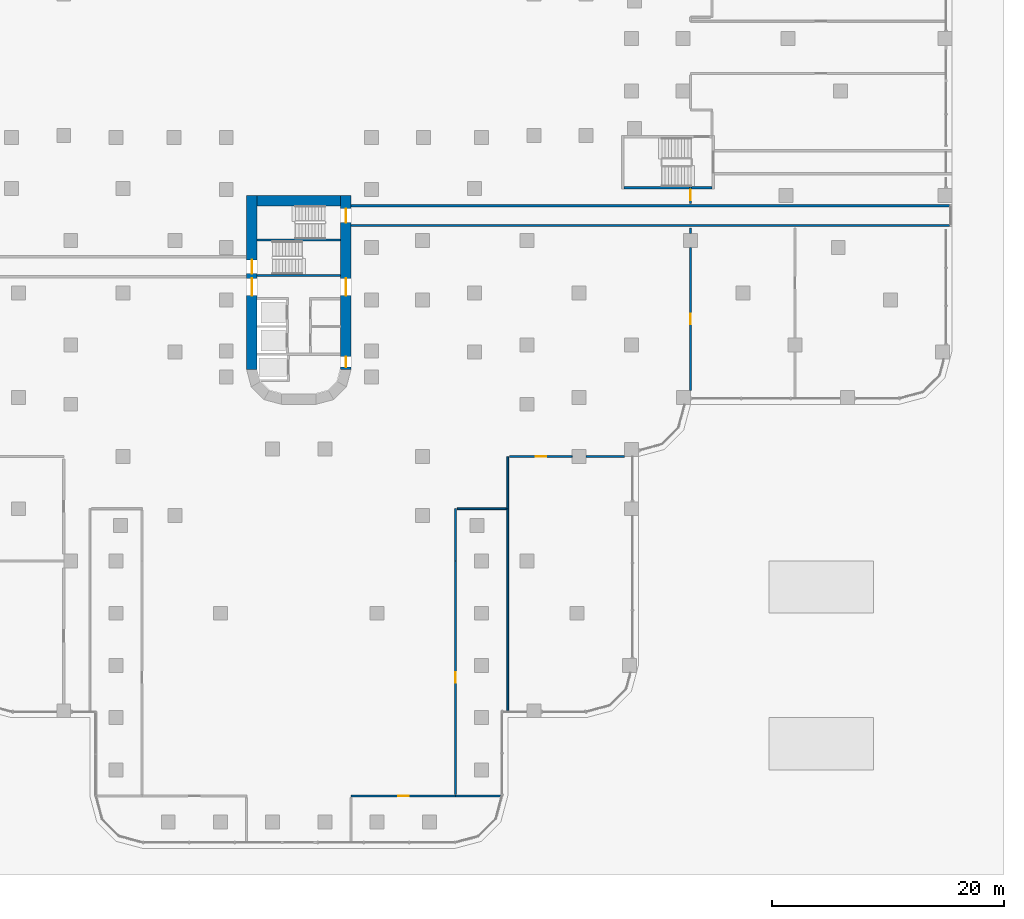
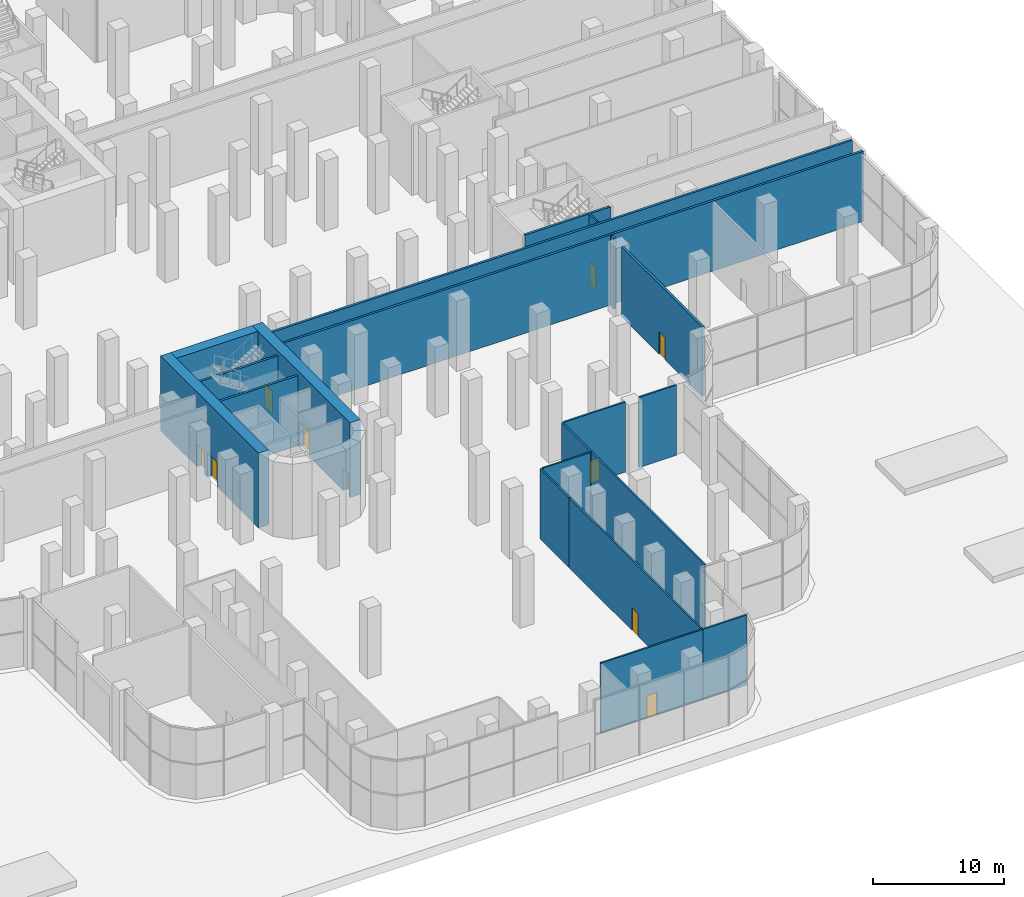
# One storey, part 22 of 34: 20 walls, 10 doors, 10 openings.
"""IFC4 building model written with IfcOpenShell, lengths in metres."""

import ifcopenshell
import ifcopenshell.guid

model = None  # the IFC model being written
_history = None  # IfcOwnerHistory: only IFC2X3 demands one
_inside = {}  # id of a spatial element -> (the spatial element, [elements in it])
_under = {}  # id of a project, library or spatial element -> (it, [spatial elements below it])
_declared = {}  # id of a project -> (the project, [libraries it declares])
_typed = {}  # id of a type object -> (the type object, [elements of that type])
_made_of = {}  # id of a material, layer set ... -> (it, [elements and type objects made of it])


def new_model(schema):
    """Start an empty IFC model of exactly this schema.

    Asked for "IFC4X3", IfcOpenShell would pick the latest addendum, in which some entities
    have other attributes; the version numbers below select the first issue.
    IFC2X3 requires an IfcOwnerHistory on every rooted entity: one is made here for all.
    """
    global model, _history
    if schema == "IFC4X3":
        model = ifcopenshell.file(schema_version=(4, 3, 0, 0))
    else:
        model = ifcopenshell.file(schema=schema)
    _inside.clear()
    _under.clear()
    _declared.clear()
    _typed.clear()
    _made_of.clear()
    _history = None
    if model.schema == "IFC2X3":
        org = make("IfcOrganization", Name="unknown")
        user = make(
            "IfcPersonAndOrganization",
            ThePerson=make("IfcPerson", FamilyName="unknown"),
            TheOrganization=org,
        )
        app = make(
            "IfcApplication",
            ApplicationDeveloper=org,
            Version="unknown",
            ApplicationFullName="unknown",
            ApplicationIdentifier="unknown",
        )
        _history = make(
            "IfcOwnerHistory",
            OwningUser=user,
            OwningApplication=app,
            ChangeAction="ADDED",
            CreationDate=0,
        )
    return model


def make(cls, **values):
    """One entity of the class cls with the attributes given. An attribute that is None is left unset."""
    return model.create_entity(
        cls, **{name: value for name, value in values.items() if value is not None}
    )


def rooted(cls, **values):
    """An entity with a GlobalId (a new one), such as an element, a storey or a relation."""
    return make(cls, GlobalId=ifcopenshell.guid.new(), OwnerHistory=_history, **values)


def si_unit(unit_type, name, prefix=None):
    """IfcSIUnit, for example si_unit("LENGTHUNIT", "METRE", prefix="MILLI")."""
    return make("IfcSIUnit", UnitType=unit_type, Prefix=prefix, Name=name)


def assignment(units):
    """IfcUnitAssignment: the units of a project."""
    return None if units is None else make("IfcUnitAssignment", Units=units)


def point(xyz):
    """IfcCartesianPoint."""
    return None if xyz is None else make("IfcCartesianPoint", Coordinates=xyz)


def direction(xyz):
    """IfcDirection."""
    return None if xyz is None else make("IfcDirection", DirectionRatios=xyz)


def frame(location, z_axis=None, x_axis=None):
    """IfcAxis2Placement3D, a coordinate frame: its origin and axes. An axis left out is left unset."""
    return make(
        "IfcAxis2Placement3D",
        Location=point(location),
        Axis=direction(z_axis),
        RefDirection=direction(x_axis),
    )


def frame_2d(location, x_axis=None):
    """IfcAxis2Placement2D, a coordinate frame in the plane: its origin and x axis."""
    return make(
        "IfcAxis2Placement2D", Location=point(location), RefDirection=direction(x_axis)
    )


def origin():
    """The frame at (0, 0, 0) with its axes left unset."""
    return frame((0.0, 0.0, 0.0))


def place(relative_to, where):
    """IfcLocalPlacement: puts the frame where relative to a parent placement (None: the world)."""
    return make(
        "IfcLocalPlacement", PlacementRelTo=relative_to, RelativePlacement=where
    )


def context(
    kind, dimensions, precision=None, world=None, true_north=None, identifier=None
):
    """IfcGeometricRepresentationContext, for example the 3D "Model" context."""
    return make(
        "IfcGeometricRepresentationContext",
        ContextIdentifier=identifier,
        ContextType=kind,
        CoordinateSpaceDimension=dimensions,
        Precision=precision,
        WorldCoordinateSystem=world,
        TrueNorth=true_north,
    )


def subcontext(parent, identifier, kind, view, scale=None):
    """IfcGeometricRepresentationSubContext, for example "Body" below "Model"."""
    return make(
        "IfcGeometricRepresentationSubContext",
        ContextIdentifier=identifier,
        ContextType=kind,
        ParentContext=parent,
        TargetScale=scale,
        TargetView=view,
    )


def project(units=None, contexts=None):
    """IfcProject with its units and contexts."""
    return rooted(
        "IfcProject",
        Name="project",
        RepresentationContexts=contexts,
        UnitsInContext=assignment(units),
    )


def spatial(cls, under=None, at=None, **own):
    """A site, building, storey or space (cls), placed at a placement, below another one or the project."""
    s = rooted(cls, ObjectPlacement=at, **own)
    if under is not None:
        _under.setdefault(under.id(), (under, []))[1].append(s)
    return s


def profile(cls, at=None, kind="AREA", **sizes):
    """A parametric profile (cls). Its sizes go by their IFC names, for example OverallWidth=200.0."""
    return make(cls, ProfileType=kind, Position=at, **sizes)


def rectangle(**sizes):
    """IfcRectangleProfileDef."""
    return profile("IfcRectangleProfileDef", **sizes)


def extrude(swept, where, along, depth):
    """IfcExtrudedAreaSolid: the profile swept, set in the frame where, extruded along a direction by depth."""
    return make(
        "IfcExtrudedAreaSolid",
        SweptArea=swept,
        Position=where,
        ExtrudedDirection=direction(along),
        Depth=depth,
    )


def shape(context_of_items, identifier, shape_type, items):
    """IfcShapeRepresentation: the items that make up one representation, for example the "Body"."""
    return make(
        "IfcShapeRepresentation",
        ContextOfItems=context_of_items,
        RepresentationIdentifier=identifier,
        RepresentationType=shape_type,
        Items=items,
    )


def material(Name=None, Category=None):
    """IfcMaterial."""
    return make("IfcMaterial", Name=Name, Category=Category)


def layer(
    of_material, thickness, ventilated=None, Name=None, Category=None, Priority=None
):
    """IfcMaterialLayer: one layer of a wall or slab, of a material (None: an air gap)."""
    return make(
        "IfcMaterialLayer",
        Material=of_material,
        LayerThickness=thickness,
        IsVentilated=ventilated,
        Name=Name,
        Category=Category,
        Priority=Priority,
    )


def layer_set(layers, Name=None):
    """IfcMaterialLayerSet."""
    return make("IfcMaterialLayerSet", MaterialLayers=layers, LayerSetName=Name)


def made_of(thing, what):
    """Note that an element or type object is made of a material, layer set ...; save() writes the relation."""
    if what is not None:
        _made_of.setdefault(what.id(), (what, []))[1].append(thing)
    return thing


def type_object(cls, material=None, **own):
    """A type object (cls), such as IfcWallType, which elements share."""
    return made_of(rooted(cls, **own), material)


def element(
    cls,
    number,
    at=None,
    inside=None,
    cuts=None,
    type_object=None,
    material=None,
    context=None,
    identifier="Body",
    shape_type=None,
    held_by="IfcProductDefinitionShape",
    body=None,
    shapes=None,
    **own,
):
    """One element of the class cls, such as IfcWall. Its Tag is "e" and its number.

    at: its placement. inside: the storey or other place that contains it. cuts: it is an
    opening in that element (IfcRelVoidsElement). A single representation is given by context,
    identifier, shape_type and body (its items); several are given by shapes. held_by: the class
    of the entity that holds the representations. save() writes the other relations.
    """
    e = rooted(cls, Tag="e%d" % number, ObjectPlacement=at, **own)
    if body is not None:
        shapes = [shape(context, identifier, shape_type, body)]
    if shapes is not None:
        e.Representation = make(held_by, Representations=shapes)
    if inside is not None:
        _inside.setdefault(inside.id(), (inside, []))[1].append(e)
    if cuts is not None:
        rooted(
            "IfcRelVoidsElement", RelatingBuildingElement=cuts, RelatedOpeningElement=e
        )
    if type_object is not None:
        _typed.setdefault(type_object.id(), (type_object, []))[1].append(e)
    return made_of(e, material)


def fill(opening, filler):
    """IfcRelFillsElement: the door or window that sits in an opening."""
    return rooted(
        "IfcRelFillsElement",
        RelatingOpeningElement=opening,
        RelatedBuildingElement=filler,
    )


def aggregate(whole, parts):
    """IfcRelAggregates: a whole, such as a stair, and the parts it consists of."""
    return rooted("IfcRelAggregates", RelatingObject=whole, RelatedObjects=parts)


def save(model, path):
    """Write the relations noted so far, then the file.

    IfcRelAggregates (storeys below a building ...), IfcRelContainedInSpatialStructure (elements
    in a storey), IfcRelDefinesByType, IfcRelAssociatesMaterial and IfcRelDeclares: one each for
    every whole, place, type object, material and project.
    """
    for whole, parts in _under.values():
        aggregate(whole, parts)
    for where, things in _inside.values():
        rooted(
            "IfcRelContainedInSpatialStructure",
            RelatedElements=things,
            RelatingStructure=where,
        )
    for kind, things in _typed.values():
        rooted("IfcRelDefinesByType", RelatedObjects=things, RelatingType=kind)
    for what, things in _made_of.values():
        rooted("IfcRelAssociatesMaterial", RelatedObjects=things, RelatingMaterial=what)
    for by, libraries in _declared.values():
        rooted("IfcRelDeclares", RelatingContext=by, RelatedDefinitions=libraries)
    model.write(path)


model = new_model("IFC4")

# Units and contexts
model_context = context("Model", 3, precision=1e-05, world=origin(), true_north=direction((0.0, 1.0)))
body_context = subcontext(model_context, "Body", "Model", "MODEL_VIEW")
ifc_project = project(units=[si_unit("LENGTHUNIT", "METRE"), si_unit("AREAUNIT", "SQUARE_METRE"), si_unit("VOLUMEUNIT", "CUBIC_METRE"), si_unit("PLANEANGLEUNIT", "RADIAN"), si_unit("MASSUNIT", "GRAM", prefix="KILO")], contexts=[model_context])

# Site, building, storey
site_placement = place(None, origin())
site = spatial("IfcSite", under=ifc_project, at=site_placement, CompositionType="ELEMENT")
building_placement = place(site_placement, origin())
building = spatial("IfcBuilding", under=site, at=building_placement, Name="Zarbagh Exchange Tower", CompositionType="ELEMENT")
storey_placement = place(building_placement, origin())
storey = spatial("IfcBuildingStorey", under=building, at=storey_placement, Name="L00", CompositionType="ELEMENT", Elevation=0.0)

# Wall, opening, door
ifc_material_1 = material(Name="Plasterboard partition")
ifc_layer_1 = layer(ifc_material_1, 0.14990234375)
ifc_layer_set_1 = layer_set([ifc_layer_1], Name="Board partition 150")
wall_type_1 = type_object("IfcWallType", Name="Board partition 150", PredefinedType="PARTITIONING", material=ifc_layer_set_1)
wall_1_placement = place(storey_placement, frame((33.75, -10.5, 0.0), z_axis=(0.0, 0.0, 1.0), x_axis=(0.0, -1.0, 0.0)))
wall_1 = element("IfcWall", 1, at=wall_1_placement, inside=storey, type_object=wall_type_1, Name="WL-L00-W028", PredefinedType="PARTITIONING", context=body_context, shape_type="SweptSolid", body=[
    extrude(rectangle(XDim=1.449951171875, YDim=0.14990234375, at=frame_2d((0.72509765625, 0.0))), origin(), (0.0, 0.0, 1.0), 6.550048828125),
])
opening_1_placement = place(wall_1_placement, frame((0.27490234375, 0.0, 0.0)))
opening_1 = element("IfcOpeningElement", 2, at=opening_1_placement, cuts=wall_1, Name="Opening D11", PredefinedType="OPENING", context=body_context, shape_type="SweptSolid", body=[
    extrude(rectangle(XDim=0.89990234375, YDim=2.10009765625, at=frame_2d((0.449951171875, 1.050048828125))), frame((0.0, 0.0849609375, 0.0), z_axis=(0.0, -1.0, 0.0), x_axis=(1.0, 0.0, 0.0)), (0.0, 0.0, 1.0), 0.169921875),
])
ifc_material_2 = material(Name="Timber door leaf", Category="wood")
door_type_1 = type_object("IfcDoorType", Name="Door single 900x2100", OperationType="SINGLE_SWING_LEFT", PredefinedType="DOOR", material=ifc_material_2)
door_1_placement = place(opening_1_placement, origin())
door_1 = element("IfcDoor", 3, at=door_1_placement, inside=storey, type_object=door_type_1, Name="D11", OperationType="SINGLE_SWING_LEFT", OverallHeight=2.10009765625, OverallWidth=0.89990234375, PredefinedType="DOOR", context=body_context, shape_type="SweptSolid", body=[
    extrude(rectangle(XDim=0.89990234375, YDim=2.10009765625, at=frame_2d((0.449951171875, 1.050048828125))), frame((0.0, 0.02490234375, 0.0), z_axis=(0.0, -1.0, 0.0), x_axis=(1.0, 0.0, 0.0)), (0.0, 0.0, 1.0), 0.050048828125),
])
fill(opening_1, door_1)

wall_2_placement = place(storey_placement, frame((13.5, -63.0, 0.0), z_axis=(0.0, 0.0, 1.0), x_axis=(-1.0, 0.0, 0.0)))
wall_2 = element("IfcWall", 4, at=wall_2_placement, inside=storey, type_object=wall_type_1, Name="WL-L00-W057", PredefinedType="PARTITIONING", context=body_context, shape_type="SweptSolid", body=[
    extrude(rectangle(XDim=9.0, YDim=0.14990234375, at=frame_2d((4.5, 0.0))), origin(), (0.0, 0.0, 1.0), 6.550048828125),
])
opening_2_placement = place(wall_2_placement, frame((4.050048828125, 0.0, 0.0)))
opening_2 = element("IfcOpeningElement", 5, at=opening_2_placement, cuts=wall_2, Name="Opening D69", PredefinedType="OPENING", context=body_context, shape_type="SweptSolid", body=[
    extrude(rectangle(XDim=0.89990234375, YDim=2.10009765625, at=frame_2d((0.449951171875, 1.050048828125))), frame((0.0, 0.0849609375, 0.0), z_axis=(0.0, -1.0, 0.0), x_axis=(1.0, 0.0, 0.0)), (0.0, 0.0, 1.0), 0.169921875),
])
door_2_placement = place(opening_2_placement, origin())
door_2 = element("IfcDoor", 6, at=door_2_placement, inside=storey, type_object=door_type_1, Name="D24", OperationType="SINGLE_SWING_LEFT", OverallHeight=2.10009765625, OverallWidth=0.89990234375, PredefinedType="DOOR", context=body_context, shape_type="SweptSolid", body=[
    extrude(rectangle(XDim=0.89990234375, YDim=2.10009765625, at=frame_2d((0.449951171875, 1.050048828125))), frame((0.0, 0.02490234375, 0.0), z_axis=(0.0, -1.0, 0.0), x_axis=(1.0, 0.0, 0.0)), (0.0, 0.0, 1.0), 0.050048828125),
])
fill(opening_2, door_2)

wall_3_placement = place(storey_placement, frame((13.5, -42.75, 0.0), z_axis=(0.0, 0.0, 1.0), x_axis=(0.0, -1.0, 0.0)))
wall_3 = element("IfcWall", 7, at=wall_3_placement, inside=storey, type_object=wall_type_1, Name="WL-L00-W059", PredefinedType="PARTITIONING", context=body_context, shape_type="SweptSolid", body=[
    extrude(rectangle(XDim=20.10009765625, YDim=0.14990234375, at=frame_2d((10.050048828125, 0.0))), origin(), (0.0, 0.0, 1.0), 6.550048828125),
])
opening_3_placement = place(wall_3_placement, frame((9.60009765625, 0.0, 0.0)))
opening_3 = element("IfcOpeningElement", 8, at=opening_3_placement, cuts=wall_3, Name="Opening D26", PredefinedType="OPENING", context=body_context, shape_type="SweptSolid", body=[
    extrude(rectangle(XDim=0.89990234375, YDim=2.10009765625, at=frame_2d((0.449951171875, 1.050048828125))), frame((0.0, 0.0849609375, 0.0), z_axis=(0.0, -1.0, 0.0), x_axis=(1.0, 0.0, 0.0)), (0.0, 0.0, 1.0), 0.169921875),
])
door_3_placement = place(opening_3_placement, origin())
door_3 = element("IfcDoor", 9, at=door_3_placement, inside=storey, type_object=door_type_1, Name="D26", OperationType="SINGLE_SWING_LEFT", OverallHeight=2.10009765625, OverallWidth=0.89990234375, PredefinedType="DOOR", context=body_context, shape_type="SweptSolid", body=[
    extrude(rectangle(XDim=0.89990234375, YDim=2.10009765625, at=frame_2d((0.449951171875, 1.050048828125))), frame((0.0, 0.02490234375, 0.0), z_axis=(0.0, -1.0, 0.0), x_axis=(1.0, 0.0, 0.0)), (0.0, 0.0, 1.0), 0.050048828125),
])
fill(opening_3, door_3)

# Walls
wall_4_placement = place(storey_placement, frame((13.5, -63.0, 0.0), z_axis=(0.0, 0.0, 1.0), x_axis=(1.0, 0.0, 0.0)))
element("IfcWall", 10, at=wall_4_placement, inside=storey, type_object=wall_type_1, Name="WL-L00-W063", PredefinedType="PARTITIONING", context=body_context, shape_type="SweptSolid", body=[
    extrude(rectangle(XDim=3.8798828125, YDim=0.14990234375, at=frame_2d((1.93994140625, 0.0))), origin(), (0.0, 0.0, 1.0), 6.550048828125),
])
wall_5_placement = place(storey_placement, frame((18.0, -38.25, 0.0), z_axis=(0.0, 0.0, 1.0), x_axis=(0.0, -1.0, 0.0)))
element("IfcWall", 11, at=wall_5_placement, inside=storey, type_object=wall_type_1, Name="WL-L00-W067", PredefinedType="PARTITIONING", context=body_context, shape_type="SweptSolid", body=[
    extrude(rectangle(XDim=17.39990234375, YDim=0.14990234375, at=frame_2d((8.699951171875, 0.0))), origin(), (0.0, 0.0, 1.0), 6.550048828125),
])
wall_6_placement = place(storey_placement, frame((13.5, -42.75, 0.0), z_axis=(0.0, 0.0, 1.0), x_axis=(0.0, 1.0, 0.0)))
element("IfcWall", 12, at=wall_6_placement, inside=storey, type_object=wall_type_1, Name="WL-L00-W068", PredefinedType="PARTITIONING", context=body_context, shape_type="SweptSolid", body=[
    extrude(rectangle(XDim=4.5, YDim=0.14990234375, at=frame_2d((2.25, 0.0))), origin(), (0.0, 0.0, 1.0), 6.550048828125),
])
wall_7_placement = place(storey_placement, frame((13.64990234375, -38.25, 0.0), z_axis=(0.0, 0.0, 1.0), x_axis=(1.0, 0.0, 0.0)))
element("IfcWall", 13, at=wall_7_placement, inside=storey, type_object=wall_type_1, Name="WL-L00-W069", PredefinedType="PARTITIONING", context=body_context, shape_type="SweptSolid", body=[
    extrude(rectangle(XDim=4.2001953125, YDim=0.14990234375, at=frame_2d((2.10009765625, 0.0))), origin(), (0.0, 0.0, 1.0), 6.550048828125),
])
wall_8_placement = place(storey_placement, frame((18.0, -38.25, 0.0), z_axis=(0.0, 0.0, 1.0), x_axis=(0.0, 1.0, 0.0)))
element("IfcWall", 14, at=wall_8_placement, inside=storey, type_object=wall_type_1, Name="WL-L00-W070", PredefinedType="PARTITIONING", context=body_context, shape_type="SweptSolid", body=[
    extrude(rectangle(XDim=4.5, YDim=0.14990234375, at=frame_2d((2.25, 0.0))), origin(), (0.0, 0.0, 1.0), 6.550048828125),
])

# Wall, opening, door
wall_9_placement = place(storey_placement, frame((23.550048828125, -33.75, 0.0), z_axis=(0.0, 0.0, 1.0), x_axis=(-1.0, 0.0, 0.0)))
wall_9 = element("IfcWall", 15, at=wall_9_placement, inside=storey, type_object=wall_type_1, Name="WL-L00-W071", PredefinedType="PARTITIONING", context=body_context, shape_type="SweptSolid", body=[
    extrude(rectangle(XDim=5.400146484375, YDim=0.14990234375, at=frame_2d((2.7001953125, 0.0))), origin(), (0.0, 0.0, 1.0), 6.550048828125),
])
opening_4_placement = place(wall_9_placement, frame((2.25, 0.0, 0.0)))
opening_4 = element("IfcOpeningElement", 16, at=opening_4_placement, cuts=wall_9, Name="Opening D27", PredefinedType="OPENING", context=body_context, shape_type="SweptSolid", body=[
    extrude(rectangle(XDim=0.89990234375, YDim=2.10009765625, at=frame_2d((0.449951171875, 1.050048828125))), frame((0.0, 0.0849609375, 0.0), z_axis=(0.0, -1.0, 0.0), x_axis=(1.0, 0.0, 0.0)), (0.0, 0.0, 1.0), 0.169921875),
])
door_4_placement = place(opening_4_placement, origin())
door_4 = element("IfcDoor", 17, at=door_4_placement, inside=storey, type_object=door_type_1, Name="D27", OperationType="SINGLE_SWING_LEFT", OverallHeight=2.10009765625, OverallWidth=0.89990234375, PredefinedType="DOOR", context=body_context, shape_type="SweptSolid", body=[
    extrude(rectangle(XDim=0.89990234375, YDim=2.10009765625, at=frame_2d((0.449951171875, 1.050048828125))), frame((0.0, 0.02490234375, 0.0), z_axis=(0.0, -1.0, 0.0), x_axis=(1.0, 0.0, 0.0)), (0.0, 0.0, 1.0), 0.050048828125),
])
fill(opening_4, door_4)

# Wall
wall_10_placement = place(storey_placement, frame((24.75, -33.75, 0.0), z_axis=(0.0, 0.0, 1.0), x_axis=(1.0, 0.0, 0.0)))
element("IfcWall", 18, at=wall_10_placement, inside=storey, type_object=wall_type_1, Name="WL-L00-W072", PredefinedType="PARTITIONING", context=body_context, shape_type="SweptSolid", body=[
    extrude(rectangle(XDim=3.300048828125, YDim=0.14990234375, at=frame_2d((1.64990234375, 0.0))), origin(), (0.0, 0.0, 1.0), 6.550048828125),
])

# Wall, opening, door
ifc_material_3 = material(Name="Concrete block partition", Category="concrete")
ifc_layer_2 = layer(ifc_material_3, 0.199951171875)
ifc_layer_set_2 = layer_set([ifc_layer_2], Name="Fire-rated block partition 200 EI 60")
wall_type_2 = type_object("IfcWallType", Name="Fire-rated block partition 200 EI 60", PredefinedType="PARTITIONING", material=ifc_layer_set_2)
wall_11_placement = place(storey_placement, frame((33.75, -15.75, 0.0), z_axis=(0.0, 0.0, 1.0), x_axis=(0.0, -1.0, 0.0)))
wall_11 = element("IfcWall", 19, at=wall_11_placement, inside=storey, type_object=wall_type_2, Name="WL-L00-W031", PredefinedType="PARTITIONING", context=body_context, shape_type="SweptSolid", body=[
    extrude(rectangle(XDim=12.300048828125, YDim=0.199951171875, at=frame_2d((6.14990234375, 0.0))), origin(), (0.0, 0.0, 1.0), 6.550048828125),
])
opening_5_placement = place(wall_11_placement, frame((5.699951171875, 0.0, 0.0)))
opening_5 = element("IfcOpeningElement", 20, at=opening_5_placement, cuts=wall_11, Name="Opening D58", PredefinedType="OPENING", context=body_context, shape_type="SweptSolid", body=[
    extrude(rectangle(XDim=0.89990234375, YDim=2.10009765625, at=frame_2d((0.449951171875, 1.050048828125))), frame((0.0, 0.10986328125, 0.0), z_axis=(0.0, -1.0, 0.0), x_axis=(1.0, 0.0, 0.0)), (0.0, 0.0, 1.0), 0.219970703125),
])
ifc_material_4 = material(Name="Steel door set", Category="steel")
door_type_2 = type_object("IfcDoorType", Name="Door single 900x2100 EI 60", OperationType="SINGLE_SWING_LEFT", PredefinedType="DOOR", material=ifc_material_4)
door_5_placement = place(opening_5_placement, origin())
door_5 = element("IfcDoor", 21, at=door_5_placement, inside=storey, type_object=door_type_2, Name="D13", OperationType="SINGLE_SWING_LEFT", OverallHeight=2.10009765625, OverallWidth=0.89990234375, PredefinedType="DOOR", context=body_context, shape_type="SweptSolid", body=[
    extrude(rectangle(XDim=0.89990234375, YDim=2.10009765625, at=frame_2d((0.449951171875, 1.050048828125))), frame((0.0, 0.02490234375, 0.0), z_axis=(0.0, -1.0, 0.0), x_axis=(1.0, 0.0, 0.0)), (0.0, 0.0, 1.0), 0.050048828125),
])
fill(opening_5, door_5)

# Wall
wall_12_placement = place(storey_placement, frame((33.75, -14.550048828125, 0.0), z_axis=(0.0, 0.0, 1.0), x_axis=(0.0, 1.0, 0.0)))
element("IfcWall", 22, at=wall_12_placement, inside=storey, type_object=wall_type_2, Name="WL-L00-W032", PredefinedType="PARTITIONING", context=body_context, shape_type="SweptSolid", body=[
    extrude(rectangle(XDim=0.5, YDim=0.199951171875, at=frame_2d((0.25, 0.0))), origin(), (0.0, 0.0, 1.0), 6.550048828125),
])

# Wall, openings, doors
ifc_material_5 = material(Name="Concrete C60/75", Category="concrete")
ifc_layer_3 = layer(ifc_material_5, 0.89990234375)
ifc_layer_set_3 = layer_set([ifc_layer_3], Name="RC core wall 900 C60/75")
wall_type_3 = type_object("IfcWallType", Name="RC core wall 900 C60/75", PredefinedType="SHEAR", material=ifc_layer_set_3)
wall_13_placement = place(storey_placement, frame((-4.050048828125, -11.25, 0.0), z_axis=(0.0, 0.0, 1.0), x_axis=(0.0, -1.0, 0.0)))
wall_13 = element("IfcWall", 23, at=wall_13_placement, inside=storey, type_object=wall_type_3, Name="CW1 core S W", PredefinedType="SHEAR", context=body_context, shape_type="SweptSolid", body=[
    extrude(rectangle(XDim=15.0, YDim=0.89990234375, at=frame_2d((7.5, 0.0))), origin(), (0.0, 0.0, 1.0), 7.0),
])
opening_6_placement = place(wall_13_placement, frame((7.14990234375, 0.0, 0.0)))
opening_6 = element("IfcOpeningElement", 24, at=opening_6_placement, cuts=wall_13, Name="Opening CD1-1500", PredefinedType="OPENING", context=body_context, shape_type="SweptSolid", body=[
    extrude(rectangle(XDim=1.5, YDim=2.300048828125, at=frame_2d((0.75, 1.14990234375))), frame((0.0, 0.4599609375, 0.0), z_axis=(0.0, -1.0, 0.0), x_axis=(1.0, 0.0, 0.0)), (0.0, 0.0, 1.0), 0.919921875),
])
opening_7_placement = place(wall_13_placement, frame((5.550048828125, 0.0, 0.0)))
opening_7 = element("IfcOpeningElement", 25, at=opening_7_placement, cuts=wall_13, Name="Opening SD1-1200", PredefinedType="OPENING", context=body_context, shape_type="SweptSolid", body=[
    extrude(rectangle(XDim=1.199951171875, YDim=2.10009765625, at=frame_2d((0.60009765625, 1.050048828125))), frame((0.0, 0.4599609375, 0.0), z_axis=(0.0, -1.0, 0.0), x_axis=(1.0, 0.0, 0.0)), (0.0, 0.0, 1.0), 0.919921875),
])
ifc_material_6 = material(Name="Steel", Category="steel")
door_type_3 = type_object("IfcDoorType", Name="Exit stair door 1200 x 2100", OperationType="NOTDEFINED", PredefinedType="DOOR", material=ifc_material_6)
door_6_placement = place(opening_7_placement, origin())
door_6 = element("IfcDoor", 26, at=door_6_placement, inside=storey, type_object=door_type_3, Name="South core stair door ST1", OperationType="SINGLE_SWING_LEFT", OverallHeight=2.10009765625, OverallWidth=1.199951171875, PredefinedType="DOOR", context=body_context, shape_type="SweptSolid", body=[
    extrude(rectangle(XDim=1.199951171875, YDim=2.10009765625, at=frame_2d((0.60009765625, 1.050048828125))), frame((0.0, 0.02490234375, 0.0), z_axis=(0.0, -1.0, 0.0), x_axis=(1.0, 0.0, 0.0)), (0.0, 0.0, 1.0), 0.050048828125),
])
fill(opening_7, door_6)
door_type_4 = type_object("IfcDoorType", Name="Lift lobby double door 1500 x 2300", OperationType="NOTDEFINED", PredefinedType="DOOR", material=ifc_material_6)
door_7_placement = place(opening_6_placement, origin())
door_7 = element("IfcDoor", 27, at=door_7_placement, inside=storey, type_object=door_type_4, Name="South core lift lobby door LOBBY-E", OperationType="DOUBLE_DOOR_SINGLE_SWING", OverallHeight=2.300048828125, OverallWidth=1.5, PredefinedType="DOOR", context=body_context, shape_type="SweptSolid", body=[
    extrude(rectangle(XDim=1.5, YDim=2.300048828125, at=frame_2d((0.75, 1.14990234375))), frame((0.0, 0.02490234375, 0.0), z_axis=(0.0, -1.0, 0.0), x_axis=(1.0, 0.0, 0.0)), (0.0, 0.0, 1.0), 0.050048828125),
])
fill(opening_6, door_7)

wall_14_placement = place(storey_placement, frame((4.050048828125, -11.25, 0.0), z_axis=(0.0, 0.0, 1.0), x_axis=(0.0, -1.0, 0.0)))
wall_14 = element("IfcWall", 28, at=wall_14_placement, inside=storey, type_object=wall_type_3, Name="CW1 core S E", PredefinedType="SHEAR", context=body_context, shape_type="SweptSolid", body=[
    extrude(rectangle(XDim=15.0, YDim=0.89990234375, at=frame_2d((7.5, 0.0))), origin(), (0.0, 0.0, 1.0), 7.0),
])
opening_8_placement = place(wall_14_placement, frame((7.14990234375, 0.0, 0.0)))
opening_8 = element("IfcOpeningElement", 29, at=opening_8_placement, cuts=wall_14, Name="Opening CD1-1500", PredefinedType="OPENING", context=body_context, shape_type="SweptSolid", body=[
    extrude(rectangle(XDim=1.5, YDim=2.300048828125, at=frame_2d((0.75, 1.14990234375))), frame((0.0, 0.4599609375, 0.0), z_axis=(0.0, -1.0, 0.0), x_axis=(1.0, 0.0, 0.0)), (0.0, 0.0, 1.0), 0.919921875),
])
opening_9_placement = place(wall_14_placement, frame((13.89990234375, 0.0, 0.0)))
opening_9 = element("IfcOpeningElement", 30, at=opening_9_placement, cuts=wall_14, Name="Opening CD2-900", PredefinedType="OPENING", context=body_context, shape_type="SweptSolid", body=[
    extrude(rectangle(XDim=0.89990234375, YDim=2.10009765625, at=frame_2d((0.449951171875, 1.050048828125))), frame((0.0, 0.4599609375, 0.0), z_axis=(0.0, -1.0, 0.0), x_axis=(1.0, 0.0, 0.0)), (0.0, 0.0, 1.0), 0.919921875),
])
opening_10_placement = place(wall_14_placement, frame((1.14990234375, 0.0, 0.0)))
opening_10 = element("IfcOpeningElement", 31, at=opening_10_placement, cuts=wall_14, Name="Opening SD1-1200", PredefinedType="OPENING", context=body_context, shape_type="SweptSolid", body=[
    extrude(rectangle(XDim=1.199951171875, YDim=2.10009765625, at=frame_2d((0.60009765625, 1.050048828125))), frame((0.0, 0.4599609375, 0.0), z_axis=(0.0, -1.0, 0.0), x_axis=(1.0, 0.0, 0.0)), (0.0, 0.0, 1.0), 0.919921875),
])
door_8_placement = place(opening_10_placement, origin())
door_8 = element("IfcDoor", 32, at=door_8_placement, inside=storey, type_object=door_type_3, Name="South core stair door ST2", OperationType="SINGLE_SWING_RIGHT", OverallHeight=2.10009765625, OverallWidth=1.199951171875, PredefinedType="DOOR", context=body_context, shape_type="SweptSolid", body=[
    extrude(rectangle(XDim=1.199951171875, YDim=2.10009765625, at=frame_2d((0.60009765625, 1.050048828125))), frame((0.0, 0.02490234375, 0.0), z_axis=(0.0, -1.0, 0.0), x_axis=(1.0, 0.0, 0.0)), (0.0, 0.0, 1.0), 0.050048828125),
])
fill(opening_10, door_8)
door_type_5 = type_object("IfcDoorType", Name="Firefighting lobby door 900 x 2100", OperationType="NOTDEFINED", PredefinedType="DOOR", material=ifc_material_6)
door_9_placement = place(opening_9_placement, origin())
door_9 = element("IfcDoor", 33, at=door_9_placement, inside=storey, type_object=door_type_5, Name="South core firefighting lobby door FF-W", OperationType="SINGLE_SWING_LEFT", OverallHeight=2.10009765625, OverallWidth=0.89990234375, PredefinedType="DOOR", context=body_context, shape_type="SweptSolid", body=[
    extrude(rectangle(XDim=0.89990234375, YDim=2.10009765625, at=frame_2d((0.449951171875, 1.050048828125))), frame((0.0, 0.02490234375, 0.0), z_axis=(0.0, -1.0, 0.0), x_axis=(1.0, 0.0, 0.0)), (0.0, 0.0, 1.0), 0.050048828125),
])
fill(opening_9, door_9)
door_10_placement = place(opening_8_placement, origin())
door_10 = element("IfcDoor", 34, at=door_10_placement, inside=storey, type_object=door_type_4, Name="South core lift lobby door LOBBY-W", OperationType="DOUBLE_DOOR_SINGLE_SWING", OverallHeight=2.300048828125, OverallWidth=1.5, PredefinedType="DOOR", context=body_context, shape_type="SweptSolid", body=[
    extrude(rectangle(XDim=1.5, YDim=2.300048828125, at=frame_2d((0.75, 1.14990234375))), frame((0.0, 0.02490234375, 0.0), z_axis=(0.0, -1.0, 0.0), x_axis=(1.0, 0.0, 0.0)), (0.0, 0.0, 1.0), 0.050048828125),
])
fill(opening_8, door_10)

# Walls
wall_15_placement = place(storey_placement, frame((-3.60009765625, -11.699951171875, 0.0), z_axis=(0.0, 0.0, 1.0), x_axis=(1.0, 0.0, 0.0)))
element("IfcWall", 35, at=wall_15_placement, inside=storey, type_object=wall_type_3, Name="CW1 core S inner end", PredefinedType="SHEAR", context=body_context, shape_type="SweptSolid", body=[
    extrude(rectangle(XDim=7.2001953125, YDim=0.89990234375, at=frame_2d((3.60009765625, 0.0))), origin(), (0.0, 0.0, 1.0), 7.0),
])
ifc_material_7 = material(Name="Dense blockwork", Category="masonry")
ifc_layer_4 = layer(ifc_material_7, 0.199951171875)
ifc_layer_set_4 = layer_set([ifc_layer_4], Name="Shaft wall 200 mm blockwork")
wall_type_4 = type_object("IfcWallType", Name="Shaft wall 200 mm blockwork", PredefinedType="PARTITIONING", material=ifc_layer_set_4)
for number, where, z_axis, x_axis, name in (
    (36, (4.5, -12.14990234375, 0.0), (0.0, 0.0, 1.0), (1.0, 0.0, 0.0), "Exit passage ST4 wall A"),
    (37, (4.5, -13.85009765625, 0.0), (0.0, 0.0, 1.0), (1.0, 0.0, 0.0), "Exit passage ST4 wall B"),
):
    element("IfcWall", number, at=place(storey_placement, frame(where, z_axis=z_axis, x_axis=x_axis)), inside=storey, type_object=wall_type_4, Name=name, PredefinedType="PARTITIONING", context=body_context, shape_type="SweptSolid", body=[
        extrude(rectangle(XDim=51.550048828125, YDim=0.199951171875, at=frame_2d((25.77490234375, 0.0))), origin(), (0.0, 0.0, 1.0), 6.550048828125),
    ])
ifc_material_8 = material(Name="Concrete C40/50", Category="concrete")
ifc_layer_5 = layer(ifc_material_8, 0.199951171875)
ifc_layer_set_5 = layer_set([ifc_layer_5], Name="Stair enclosure wall 200 mm RC C40/50")
wall_type_5 = type_object("IfcWallType", Name="Stair enclosure wall 200 mm RC C40/50", PredefinedType="SHEAR", material=ifc_layer_set_5)
for number, where, z_axis, x_axis, name in (
    (38, (3.60009765625, -18.14990234375, 0.0), (0.0, 0.0, 1.0), (-1.0, 0.0, 0.0), "South core stair wall BS"),
    (39, (3.60009765625, -15.10009765625, 0.0), (0.0, 0.0, 1.0), (-1.0, 0.0, 0.0), "South core stair wall ST12"),
):
    element("IfcWall", number, at=place(storey_placement, frame(where, z_axis=z_axis, x_axis=x_axis)), inside=storey, type_object=wall_type_5, Name=name, PredefinedType="SHEAR", context=body_context, shape_type="SweptSolid", body=[
        extrude(rectangle(XDim=7.2001953125, YDim=0.199951171875, at=frame_2d((3.60009765625, 0.0))), origin(), (0.0, 0.0, 1.0), 6.550048828125),
    ])
wall_16_placement = place(storey_placement, frame((28.0, -10.60009765625, 0.0), z_axis=(0.0, 0.0, 1.0), x_axis=(1.0, 0.0, 0.0)))
element("IfcWall", 40, at=wall_16_placement, inside=storey, type_object=wall_type_5, Name="Exit stair PS6 enclosure wall S", PredefinedType="SHEAR", context=body_context, shape_type="SweptSolid", body=[
    extrude(rectangle(XDim=7.60009765625, YDim=0.199951171875, at=frame_2d((3.800048828125, 0.0))), origin(), (0.0, 0.0, 1.0), 6.550048828125),
])

save(model, "model.ifc")
